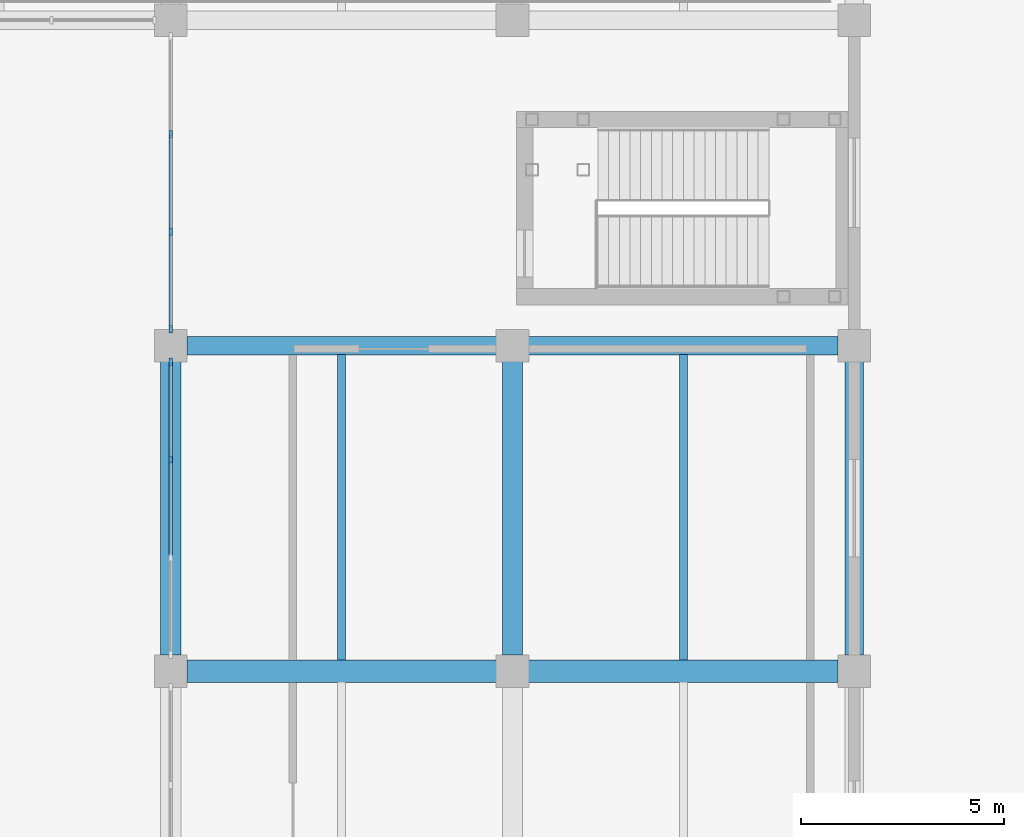
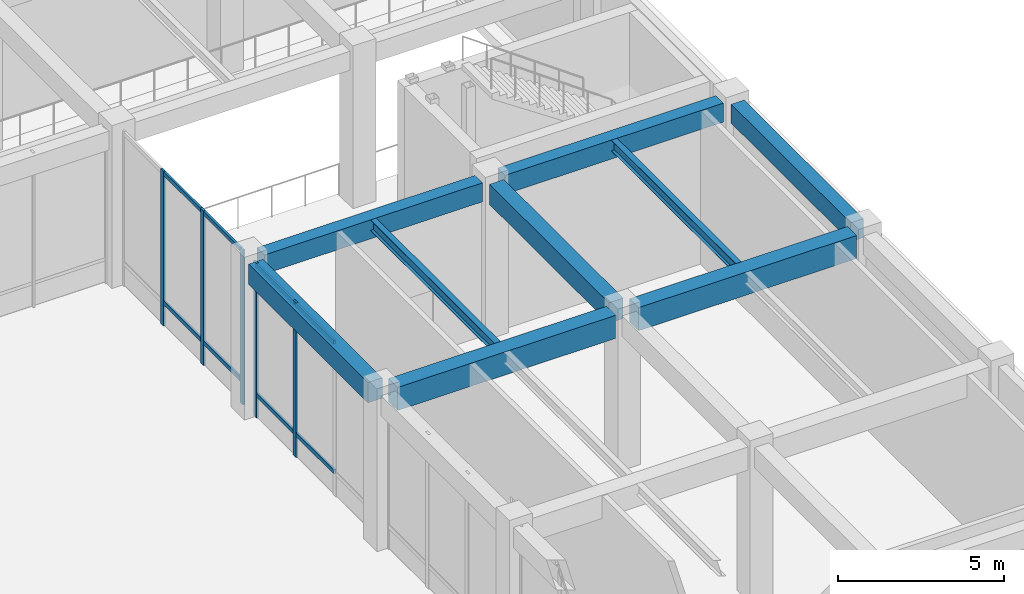
# One storey, part 27 of 76: 13 members, 9 beams, 2 elements without a shape of their own.
"""IFC4 building model written with IfcOpenShell, lengths in metres."""

from ifc_helpers import new_model, si_unit, direction, frame, origin, origin_2d, place, context, subcontext, project, spatial, rectangle, i_section, extrude, material, layer, layer_set, material_profile, profile_set, type_object, element, aggregate, save


model = new_model("IFC4")

# Units and contexts
model_context = context("Model", 3, precision=1e-05, world=origin(), true_north=direction((0.0, 1.0)))
body_context = subcontext(model_context, "Body", "Model", "MODEL_VIEW")
ifc_project = project(units=[si_unit("LENGTHUNIT", "METRE"), si_unit("AREAUNIT", "SQUARE_METRE"), si_unit("VOLUMEUNIT", "CUBIC_METRE"), si_unit("PLANEANGLEUNIT", "RADIAN"), si_unit("MASSUNIT", "GRAM", prefix="KILO")], contexts=[model_context])

# Site, building, storey
site_placement = place(None, origin())
site = spatial("IfcSite", under=ifc_project, at=site_placement, CompositionType="ELEMENT")
building_placement = place(site_placement, origin())
building = spatial("IfcBuilding", under=site, at=building_placement, Name="Naruveol Harbour Congress Hotel", CompositionType="ELEMENT")
storey_placement = place(building_placement, origin())
storey = spatial("IfcBuildingStorey", under=building, at=storey_placement, Name="L00", CompositionType="ELEMENT", Elevation=0.0)

# Beams
ifc_material_1 = material(Name="Concrete C40/50", Category="concrete")
ifc_material_profile_1 = material_profile(ifc_material_1, rectangle(XDim=0.5, YDim=0.75, at=origin_2d()), Name="RCB-500x750")
ifc_profile_set_1 = profile_set([ifc_material_profile_1], Name="Concrete C40/50")
beam_type_1 = type_object("IfcBeamType", Name="RC FLOOR GIRDER 500X750", PredefinedType="BEAM", material=ifc_profile_set_1)
for number, where, z_axis, x_axis, name in (
    (1, (109.199951171875, 48.39599609375, 5.324951171875), (0.0, 1.0, 0.0), (-1.0, 0.0, 0.0), "Transverse girder L01 CB3"),
    (2, (117.60009765625, 48.39599609375, 5.324951171875), (0.0, 1.0, 0.0), (-1.0, 0.0, 0.0), "Transverse girder L01 CB3"),
):
    element("IfcBeam", number, at=place(storey_placement, frame(where, z_axis=z_axis, x_axis=x_axis)), inside=storey, type_object=beam_type_1, Name=name, PredefinedType="BEAM", context=body_context, shape_type="SweptSolid", body=[
        extrude(rectangle(XDim=0.5, YDim=0.75, at=origin_2d()), origin(), (0.0, 0.0, 1.0), 7.2080078125),
    ])
ifc_material_2 = material(Name="Concrete C40/50", Category="concrete")
ifc_material_profile_2 = material_profile(ifc_material_2, rectangle(XDim=0.550048828125, YDim=0.85009765625, at=origin_2d()), Name="RCB-550x850")
ifc_profile_set_2 = profile_set([ifc_material_profile_2], Name="Concrete C40/50")
beam_type_2 = type_object("IfcBeamType", Name="RC PRIMARY GIRDER 550X850", PredefinedType="BEAM", material=ifc_profile_set_2)
beam_1_placement = place(storey_placement, frame((109.595947265625, 48.0, 5.27490234375), z_axis=(1.0, 0.0, 0.0), x_axis=(0.0, 1.0, 0.0)))
element("IfcBeam", 3, at=beam_1_placement, inside=storey, type_object=beam_type_2, Name="Floor girder L01 CB2", PredefinedType="BEAM", context=body_context, shape_type="SweptSolid", body=[
    extrude(rectangle(XDim=0.550048828125, YDim=0.85009765625, at=origin_2d()), origin(), (0.0, 0.0, 1.0), 7.608154296875),
])
beam_2_placement = place(storey_placement, frame((117.99609375, 48.0, 5.27490234375), z_axis=(1.0, 0.0, 0.0), x_axis=(0.0, 1.0, 0.0)))
element("IfcBeam", 4, at=beam_2_placement, inside=storey, type_object=beam_type_2, Name="Floor girder L01 CB2", PredefinedType="BEAM", context=body_context, shape_type="SweptSolid", body=[
    extrude(rectangle(XDim=0.550048828125, YDim=0.85009765625, at=origin_2d()), origin(), (0.0, 0.0, 1.0), 7.60791015625),
])
ifc_material_3 = material(Name="Concrete C40/50", Category="concrete")
ifc_material_profile_3 = material_profile(ifc_material_3, rectangle(XDim=0.449951171875, YDim=0.699951171875, at=origin_2d()), Name="RCB-450x700")
ifc_profile_set_3 = profile_set([ifc_material_profile_3], Name="Concrete C40/50")
beam_type_3 = type_object("IfcBeamType", Name="RC SPANDREL BEAM 450X700", PredefinedType="SPANDREL", material=ifc_profile_set_3)
beam_3_placement = place(storey_placement, frame((109.595947265625, 56.0, 5.35009765625), z_axis=(1.0, 0.0, 0.0), x_axis=(0.0, 1.0, 0.0)))
element("IfcBeam", 5, at=beam_3_placement, inside=storey, type_object=beam_type_3, Name="Floor girder L01 SPB1", PredefinedType="SPANDREL", context=body_context, shape_type="SweptSolid", body=[
    extrude(rectangle(XDim=0.449951171875, YDim=0.699951171875, at=origin_2d()), origin(), (0.0, 0.0, 1.0), 7.608154296875),
])
beam_4_placement = place(storey_placement, frame((117.99609375, 56.0, 5.35009765625), z_axis=(1.0, 0.0, 0.0), x_axis=(0.0, 1.0, 0.0)))
element("IfcBeam", 6, at=beam_4_placement, inside=storey, type_object=beam_type_3, Name="Floor girder L01 SPB1", PredefinedType="SPANDREL", context=body_context, shape_type="SweptSolid", body=[
    extrude(rectangle(XDim=0.449951171875, YDim=0.699951171875, at=origin_2d()), origin(), (0.0, 0.0, 1.0), 7.60791015625),
])
beam_5_placement = place(storey_placement, frame((126.0, 48.39599609375, 5.35009765625), z_axis=(0.0, 1.0, 0.0), x_axis=(-1.0, 0.0, 0.0)))
element("IfcBeam", 7, at=beam_5_placement, inside=storey, type_object=beam_type_3, Name="Transverse girder L01 SPB1", PredefinedType="SPANDREL", context=body_context, shape_type="SweptSolid", body=[
    extrude(rectangle(XDim=0.449951171875, YDim=0.699951171875, at=origin_2d()), origin(), (0.0, 0.0, 1.0), 7.2080078125),
])
ifc_material_4 = material(Name="Steel SN490", Category="steel")
ifc_material_profile_4 = material_profile(ifc_material_4, i_section(OverallWidth=0.199951171875, OverallDepth=0.39990234375, WebThickness=0.008056640625, FlangeThickness=0.012939453125, at=origin_2d()), Name="H-400x200x8x13")
ifc_profile_set_4 = profile_set([ifc_material_profile_4], Name="Steel SN490")
beam_type_4 = type_object("IfcBeamType", Name="STEEL SECONDARY JOIST H400", PredefinedType="JOIST", material=ifc_profile_set_4)
for number, where, z_axis, x_axis, name in (
    (8, (113.39990234375, 48.27099609375, 5.5), (0.0, 1.0, 0.0), (-1.0, 0.0, 0.0), "Secondary floor joist L01 SJ1"),
    (9, (121.800048828125, 48.27099609375, 5.5), (0.0, 1.0, 0.0), (-1.0, 0.0, 0.0), "Secondary floor joist L01 SJ1"),
):
    element("IfcBeam", number, at=place(storey_placement, frame(where, z_axis=z_axis, x_axis=x_axis)), inside=storey, type_object=beam_type_4, Name=name, PredefinedType="JOIST", context=body_context, shape_type="SweptSolid", body=[
        extrude(i_section(OverallWidth=0.199951171875, OverallDepth=0.39990234375, WebThickness=0.008056640625, FlangeThickness=0.012939453125, at=origin_2d()), origin(), (0.0, 0.0, 1.0), 7.508056640625),
    ])

# Curtain wall, members
ifc_material_5 = material(Name="Low-E Curtain Wall System", Category="glass")
ifc_layer = layer(ifc_material_5, 0.179931640625)
ifc_layer_set = layer_set([ifc_layer], Name="Low-E Curtain Wall System")
curtain_wall_type = type_object("IfcCurtainWallType", Name="UNITISED CURTAIN WALL CW-CTE-29 7200X5700", PredefinedType="USERDEFINED", material=ifc_layer_set)
curtain_wall_1_placement = place(storey_placement, origin())
curtain_wall_1 = element("IfcCurtainWall", 10, at=curtain_wall_1_placement, inside=storey, type_object=curtain_wall_type, Name="Unitised curtain wall CW-CTE-29 L00", ObjectType="UNITISED GLAZING", PredefinedType="USERDEFINED")
ifc_material_6 = material(Name="Anodised Aluminium 6063-T6", Category="aluminium")
ifc_material_profile_5 = material_profile(ifc_material_6, rectangle(XDim=0.074951171875, YDim=0.179931640625, at=origin_2d()), Name="ALU-75x180")
ifc_profile_set_5 = profile_set([ifc_material_profile_5], Name="Anodised Aluminium 6063-T6")
member_type_1 = type_object("IfcMemberType", Name="THERMAL ALUMINIUM MULLION 75X180", PredefinedType="MULLION", material=ifc_profile_set_5)
member_1_placement = place(storey_placement, frame((109.199951171875, 55.60009765625, 0.0), z_axis=(0.0, 0.0, 1.0), x_axis=(1.0, 0.0, 0.0)))
member_1 = element("IfcMember", 11, at=member_1_placement, type_object=member_type_1, Name="Curtain wall mullion CW-L00-0068-M0", PredefinedType="MULLION", context=body_context, shape_type="SweptSolid", body=[
    extrude(rectangle(XDim=0.074951171875, YDim=0.179931640625, at=origin_2d()), origin(), (0.0, 0.0, 1.0), 5.699951171875),
])
member_2_placement = place(storey_placement, frame((109.199951171875, 53.199951171875, 0.0), z_axis=(0.0, 0.0, 1.0), x_axis=(1.0, 0.0, 0.0)))
member_2 = element("IfcMember", 12, at=member_2_placement, type_object=member_type_1, Name="Curtain wall mullion CW-L00-0068-M1", PredefinedType="MULLION", context=body_context, shape_type="SweptSolid", body=[
    extrude(rectangle(XDim=0.074951171875, YDim=0.179931640625, at=origin_2d()), origin(), (0.0, 0.0, 1.0), 5.699951171875),
])

curtain_wall_2_placement = place(storey_placement, origin())
curtain_wall_2 = element("IfcCurtainWall", 13, at=curtain_wall_2_placement, inside=storey, type_object=curtain_wall_type, Name="Unitised curtain wall CW-CTE-29 L00", ObjectType="UNITISED GLAZING", PredefinedType="USERDEFINED")
member_3_placement = place(storey_placement, frame((109.199951171875, 61.199951171875, 0.0), z_axis=(0.0, 0.0, 1.0), x_axis=(1.0, 0.0, 0.0)))
member_3 = element("IfcMember", 14, at=member_3_placement, type_object=member_type_1, Name="Curtain wall mullion CW-L00-0070-M1", PredefinedType="MULLION", context=body_context, shape_type="SweptSolid", body=[
    extrude(rectangle(XDim=0.074951171875, YDim=0.179931640625, at=origin_2d()), origin(), (0.0, 0.0, 1.0), 5.699951171875),
])
member_4_placement = place(storey_placement, frame((109.199951171875, 58.800048828125, 0.0), z_axis=(0.0, 0.0, 1.0), x_axis=(1.0, 0.0, 0.0)))
member_4 = element("IfcMember", 15, at=member_4_placement, type_object=member_type_1, Name="Curtain wall mullion CW-L00-0070-M2", PredefinedType="MULLION", context=body_context, shape_type="SweptSolid", body=[
    extrude(rectangle(XDim=0.074951171875, YDim=0.179931640625, at=origin_2d()), origin(), (0.0, 0.0, 1.0), 5.699951171875),
])
member_5_placement = place(storey_placement, frame((109.199951171875, 56.39990234375, 0.0), z_axis=(0.0, 0.0, 1.0), x_axis=(1.0, 0.0, 0.0)))
member_5 = element("IfcMember", 16, at=member_5_placement, type_object=member_type_1, Name="Curtain wall mullion CW-L00-0070-M3", PredefinedType="MULLION", context=body_context, shape_type="SweptSolid", body=[
    extrude(rectangle(XDim=0.074951171875, YDim=0.179931640625, at=origin_2d()), origin(), (0.0, 0.0, 1.0), 5.699951171875),
])

# Member
ifc_material_7 = material(Name="Anodised Aluminium 6063-T6", Category="aluminium")
ifc_material_profile_6 = material_profile(ifc_material_7, rectangle(XDim=0.074951171875, YDim=0.14990234375, at=origin_2d()), Name="ALU-75x150")
ifc_profile_set_6 = profile_set([ifc_material_profile_6], Name="Anodised Aluminium 6063-T6")
member_type_2 = type_object("IfcMemberType", Name="THERMAL ALUMINIUM TRANSOM 75X150", PredefinedType="USERDEFINED", material=ifc_profile_set_6)
member_6_placement = place(storey_placement, frame((109.199951171875, 55.56005859375, 0.85009765625), z_axis=(0.0, -1.0, 0.0), x_axis=(1.0, 0.0, 0.0)))
member_6 = element("IfcMember", 17, at=member_6_placement, type_object=member_type_2, Name="Curtain wall transom CW-L00-0068-T0.1", ObjectType="TRANSOM", PredefinedType="USERDEFINED", context=body_context, shape_type="SweptSolid", body=[
    extrude(rectangle(XDim=0.074951171875, YDim=0.14990234375, at=origin_2d()), origin(), (0.0, 0.0, 1.0), 2.320068359375),
])

member_7_placement = place(storey_placement, frame((109.199951171875, 55.56005859375, 5.6201171875), z_axis=(0.0, -1.0, 0.0), x_axis=(1.0, 0.0, 0.0)))
member_7 = element("IfcMember", 18, at=member_7_placement, type_object=member_type_2, Name="Curtain wall transom CW-L00-0068-T0.2", ObjectType="TRANSOM", PredefinedType="USERDEFINED", context=body_context, shape_type="SweptSolid", body=[
    extrude(rectangle(XDim=0.074951171875, YDim=0.14990234375, at=origin_2d()), origin(), (0.0, 0.0, 1.0), 2.320068359375),
])

member_8_placement = place(storey_placement, frame((109.199951171875, 53.159912109375, 0.85009765625), z_axis=(0.0, -1.0, 0.0), x_axis=(1.0, 0.0, 0.0)))
member_8 = element("IfcMember", 19, at=member_8_placement, type_object=member_type_2, Name="Curtain wall transom CW-L00-0068-T1.1", ObjectType="TRANSOM", PredefinedType="USERDEFINED", context=body_context, shape_type="SweptSolid", body=[
    extrude(rectangle(XDim=0.074951171875, YDim=0.14990234375, at=origin_2d()), origin(), (0.0, 0.0, 1.0), 2.31982421875),
])

member_9_placement = place(storey_placement, frame((109.199951171875, 53.159912109375, 5.6201171875), z_axis=(0.0, -1.0, 0.0), x_axis=(1.0, 0.0, 0.0)))
member_9 = element("IfcMember", 20, at=member_9_placement, type_object=member_type_2, Name="Curtain wall transom CW-L00-0068-T1.2", ObjectType="TRANSOM", PredefinedType="USERDEFINED", context=body_context, shape_type="SweptSolid", body=[
    extrude(rectangle(XDim=0.074951171875, YDim=0.14990234375, at=origin_2d()), origin(), (0.0, 0.0, 1.0), 2.31982421875),
])

aggregate(curtain_wall_1, [member_1, member_2, member_6, member_7, member_8, member_9])

member_10_placement = place(storey_placement, frame((109.199951171875, 61.159912109375, 0.85009765625), z_axis=(0.0, -1.0, 0.0), x_axis=(1.0, 0.0, 0.0)))
member_10 = element("IfcMember", 21, at=member_10_placement, type_object=member_type_2, Name="Curtain wall transom CW-L00-0070-T1.1", ObjectType="TRANSOM", PredefinedType="USERDEFINED", context=body_context, shape_type="SweptSolid", body=[
    extrude(rectangle(XDim=0.074951171875, YDim=0.14990234375, at=origin_2d()), origin(), (0.0, 0.0, 1.0), 2.31982421875),
])

member_11_placement = place(storey_placement, frame((109.199951171875, 61.159912109375, 5.6201171875), z_axis=(0.0, -1.0, 0.0), x_axis=(1.0, 0.0, 0.0)))
member_11 = element("IfcMember", 22, at=member_11_placement, type_object=member_type_2, Name="Curtain wall transom CW-L00-0070-T1.2", ObjectType="TRANSOM", PredefinedType="USERDEFINED", context=body_context, shape_type="SweptSolid", body=[
    extrude(rectangle(XDim=0.074951171875, YDim=0.14990234375, at=origin_2d()), origin(), (0.0, 0.0, 1.0), 2.31982421875),
])

member_12_placement = place(storey_placement, frame((109.199951171875, 58.760009765625, 0.85009765625), z_axis=(0.0, -1.0, 0.0), x_axis=(1.0, 0.0, 0.0)))
member_12 = element("IfcMember", 23, at=member_12_placement, type_object=member_type_2, Name="Curtain wall transom CW-L00-0070-T2.1", ObjectType="TRANSOM", PredefinedType="USERDEFINED", context=body_context, shape_type="SweptSolid", body=[
    extrude(rectangle(XDim=0.074951171875, YDim=0.14990234375, at=origin_2d()), origin(), (0.0, 0.0, 1.0), 2.320068359375),
])

member_13_placement = place(storey_placement, frame((109.199951171875, 58.760009765625, 5.6201171875), z_axis=(0.0, -1.0, 0.0), x_axis=(1.0, 0.0, 0.0)))
member_13 = element("IfcMember", 24, at=member_13_placement, type_object=member_type_2, Name="Curtain wall transom CW-L00-0070-T2.2", ObjectType="TRANSOM", PredefinedType="USERDEFINED", context=body_context, shape_type="SweptSolid", body=[
    extrude(rectangle(XDim=0.074951171875, YDim=0.14990234375, at=origin_2d()), origin(), (0.0, 0.0, 1.0), 2.320068359375),
])

aggregate(curtain_wall_2, [member_3, member_4, member_5, member_10, member_11, member_12, member_13])

save(model, "model.ifc")
